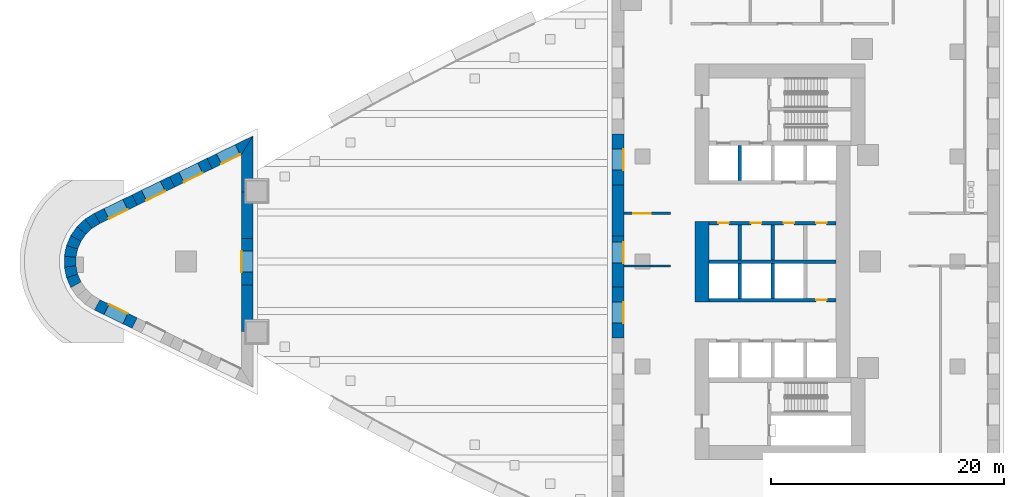
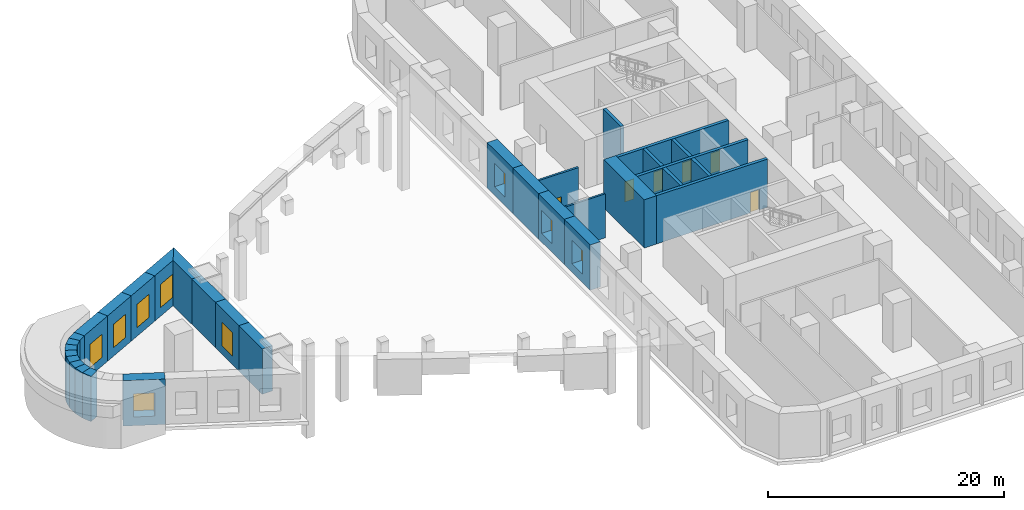
# One storey, part 3 of 11: 32 walls, 9 windows, 6 doors, 15 openings.
"""IFC4 building model written with IfcOpenShell, lengths in metres."""

from ifc_helpers import new_model, si_unit, direction, frame, frame_2d, origin, place, context, subcontext, project, spatial, polyline, rectangle, outline, extrude, material, layer, layer_set, type_object, element, fill, save


model = new_model("IFC4")

# Units and contexts
model_context = context("Model", 3, precision=1e-05, world=origin(), true_north=direction((0.0, 1.0)))
body_context = subcontext(model_context, "Body", "Model", "MODEL_VIEW")
ifc_project = project(units=[si_unit("LENGTHUNIT", "METRE"), si_unit("AREAUNIT", "SQUARE_METRE"), si_unit("VOLUMEUNIT", "CUBIC_METRE"), si_unit("PLANEANGLEUNIT", "RADIAN"), si_unit("MASSUNIT", "GRAM", prefix="KILO")], contexts=[model_context])

# Site, building, storey
site_placement = place(None, origin())
site = spatial("IfcSite", under=ifc_project, at=site_placement, CompositionType="ELEMENT")
building_placement = place(site_placement, origin())
building = spatial("IfcBuilding", under=site, at=building_placement, Name="Ostrand Prow Hotel Tower", CompositionType="ELEMENT")
storey_placement = place(building_placement, frame((0.0, 0.0, 24.0)))
storey = spatial("IfcBuildingStorey", under=building, at=storey_placement, Name="L04", CompositionType="ELEMENT", Elevation=24.0)

# Walls
ifc_material_1 = material(Name="Concrete C80/95", Category="concrete")
ifc_layer_1 = layer(ifc_material_1, 1.199951171875)
ifc_layer_set_1 = layer_set([ifc_layer_1], Name="Concrete C80/95")
wall_type_1 = type_object("IfcWallType", Name="Core wall 1200 C80/95", PredefinedType="SHEAR", material=ifc_layer_set_1)
wall_1_placement = place(storey_placement, frame((50.10009765625, -3.449951171875, 0.0), z_axis=(0.0, 0.0, 1.0), x_axis=(0.0, 1.0, 0.0)))
element("IfcWall", 1, at=wall_1_placement, inside=storey, type_object=wall_type_1, Name="Core wall CW-W-C", PredefinedType="SHEAR", context=body_context, shape_type="SweptSolid", body=[
    extrude(rectangle(XDim=6.89990234375, YDim=1.199951171875, at=frame_2d((3.449951171875, 0.0))), origin(), (0.0, 0.0, 1.0), 5.0),
])
ifc_material_2 = material(Name="Concrete C80/95", Category="concrete")
ifc_layer_2 = layer(ifc_material_2, 0.300048828125)
ifc_layer_set_2 = layer_set([ifc_layer_2], Name="Concrete C80/95")
wall_type_2 = type_object("IfcWallType", Name="Core wall 300 C80/95", PredefinedType="SHEAR", material=ifc_layer_set_2)
wall_2_placement = place(storey_placement, frame((50.699951171875, 0.0, 0.0), z_axis=(0.0, 0.0, 1.0), x_axis=(1.0, 0.0, 0.0)))
element("IfcWall", 2, at=wall_2_placement, inside=storey, type_object=wall_type_2, Name="Core wall PW-C", PredefinedType="SHEAR", context=body_context, shape_type="SweptSolid", body=[
    extrude(rectangle(XDim=10.900146484375, YDim=0.300048828125, at=frame_2d((5.4501953125, 0.0))), origin(), (0.0, 0.0, 1.0), 5.0),
])

# Wall, openings, doors
wall_3_placement = place(storey_placement, frame((50.699951171875, 3.300048828125, 0.0), z_axis=(0.0, 0.0, 1.0), x_axis=(1.0, 0.0, 0.0)))
wall_3 = element("IfcWall", 3, at=wall_3_placement, inside=storey, type_object=wall_type_2, Name="Core wall PW-L1-N", PredefinedType="SHEAR", context=body_context, shape_type="SweptSolid", body=[
    extrude(rectangle(XDim=10.900146484375, YDim=0.300048828125, at=frame_2d((5.4501953125, 0.0))), origin(), (0.0, 0.0, 1.0), 5.0),
])
opening_1_placement = place(wall_3_placement, frame((0.800048828125, 0.0, 0.0)))
opening_1 = element("IfcOpeningElement", 4, at=opening_1_placement, cuts=wall_3, Name="Opening FD2", PredefinedType="OPENING", context=body_context, shape_type="SweptSolid", body=[
    extrude(rectangle(XDim=0.89990234375, YDim=2.10009765625, at=frame_2d((0.449951171875, 1.050048828125))), frame((0.0, 0.159912109375, 0.0), z_axis=(0.0, -1.0, 0.0), x_axis=(1.0, 0.0, 0.0)), (0.0, 0.0, 1.0), 0.320068359375),
])
opening_2_placement = place(wall_3_placement, frame((3.60009765625, 0.0, 0.0)))
opening_2 = element("IfcOpeningElement", 5, at=opening_2_placement, cuts=wall_3, Name="Opening FD2", PredefinedType="OPENING", context=body_context, shape_type="SweptSolid", body=[
    extrude(rectangle(XDim=0.89990234375, YDim=2.10009765625, at=frame_2d((0.449951171875, 1.050048828125))), frame((0.0, 0.159912109375, 0.0), z_axis=(0.0, -1.0, 0.0), x_axis=(1.0, 0.0, 0.0)), (0.0, 0.0, 1.0), 0.320068359375),
])
opening_3_placement = place(wall_3_placement, frame((6.39990234375, 0.0, 0.0)))
opening_3 = element("IfcOpeningElement", 6, at=opening_3_placement, cuts=wall_3, Name="Opening FD2", PredefinedType="OPENING", context=body_context, shape_type="SweptSolid", body=[
    extrude(rectangle(XDim=0.89990234375, YDim=2.10009765625, at=frame_2d((0.449951171875, 1.050048828125))), frame((0.0, 0.159912109375, 0.0), z_axis=(0.0, -1.0, 0.0), x_axis=(1.0, 0.0, 0.0)), (0.0, 0.0, 1.0), 0.320068359375),
])
opening_4_placement = place(wall_3_placement, frame((9.199951171875, 0.0, 0.0)))
opening_4 = element("IfcOpeningElement", 7, at=opening_4_placement, cuts=wall_3, Name="Opening FD2", PredefinedType="OPENING", context=body_context, shape_type="SweptSolid", body=[
    extrude(rectangle(XDim=0.89990234375, YDim=2.10009765625, at=frame_2d((0.449951171875, 1.050048828125))), frame((0.0, 0.159912109375, 0.0), z_axis=(0.0, -1.0, 0.0), x_axis=(1.0, 0.0, 0.0)), (0.0, 0.0, 1.0), 0.320068359375),
])
ifc_material_3 = material(Name="Steel fire door", Category="steel")
door_type_1 = type_object("IfcDoorType", Name="Fire door 900 EI120", OperationType="SINGLE_SWING_LEFT", PredefinedType="DOOR", material=ifc_material_3)
door_1_placement = place(opening_1_placement, origin())
door_1 = element("IfcDoor", 8, at=door_1_placement, inside=storey, type_object=door_type_1, Name="DOOR", OperationType="SINGLE_SWING_LEFT", OverallHeight=2.10009765625, OverallWidth=0.89990234375, PredefinedType="DOOR", context=body_context, shape_type="SweptSolid", body=[
    extrude(rectangle(XDim=0.89990234375, YDim=2.10009765625, at=frame_2d((0.449951171875, 1.050048828125))), frame((0.0, 0.02490234375, 0.0), z_axis=(0.0, -1.0, 0.0), x_axis=(1.0, 0.0, 0.0)), (0.0, 0.0, 1.0), 0.050048828125),
])
fill(opening_1, door_1)
door_2_placement = place(opening_2_placement, origin())
door_2 = element("IfcDoor", 9, at=door_2_placement, inside=storey, type_object=door_type_1, Name="DOOR", OperationType="SINGLE_SWING_LEFT", OverallHeight=2.10009765625, OverallWidth=0.89990234375, PredefinedType="DOOR", context=body_context, shape_type="SweptSolid", body=[
    extrude(rectangle(XDim=0.89990234375, YDim=2.10009765625, at=frame_2d((0.449951171875, 1.050048828125))), frame((0.0, 0.02490234375, 0.0), z_axis=(0.0, -1.0, 0.0), x_axis=(1.0, 0.0, 0.0)), (0.0, 0.0, 1.0), 0.050048828125),
])
fill(opening_2, door_2)
door_3_placement = place(opening_3_placement, origin())
door_3 = element("IfcDoor", 10, at=door_3_placement, inside=storey, type_object=door_type_1, Name="DOOR", OperationType="SINGLE_SWING_LEFT", OverallHeight=2.10009765625, OverallWidth=0.89990234375, PredefinedType="DOOR", context=body_context, shape_type="SweptSolid", body=[
    extrude(rectangle(XDim=0.89990234375, YDim=2.10009765625, at=frame_2d((0.449951171875, 1.050048828125))), frame((0.0, 0.02490234375, 0.0), z_axis=(0.0, -1.0, 0.0), x_axis=(1.0, 0.0, 0.0)), (0.0, 0.0, 1.0), 0.050048828125),
])
fill(opening_3, door_3)
door_4_placement = place(opening_4_placement, origin())
door_4 = element("IfcDoor", 11, at=door_4_placement, inside=storey, type_object=door_type_1, Name="DOOR", OperationType="SINGLE_SWING_LEFT", OverallHeight=2.10009765625, OverallWidth=0.89990234375, PredefinedType="DOOR", context=body_context, shape_type="SweptSolid", body=[
    extrude(rectangle(XDim=0.89990234375, YDim=2.10009765625, at=frame_2d((0.449951171875, 1.050048828125))), frame((0.0, 0.02490234375, 0.0), z_axis=(0.0, -1.0, 0.0), x_axis=(1.0, 0.0, 0.0)), (0.0, 0.0, 1.0), 0.050048828125),
])
fill(opening_4, door_4)

# Walls
for number, where, z_axis, x_axis, name in (
    (12, (53.35009765625, 0.14990234375, 0.0), (0.0, 0.0, 1.0), (0.0, 1.0, 0.0), "Core wall PW-R1-NB"),
    (13, (53.35009765625, 6.949951171875, 0.0), (0.0, 0.0, 1.0), (0.0, 1.0, 0.0), "Core wall PW-R1-NA"),
    (14, (56.14990234375, 0.14990234375, 0.0), (0.0, 0.0, 1.0), (0.0, 1.0, 0.0), "Core wall PW-R2-NB"),
):
    element("IfcWall", number, at=place(storey_placement, frame(where, z_axis=z_axis, x_axis=x_axis)), inside=storey, type_object=wall_type_2, Name=name, PredefinedType="SHEAR", context=body_context, shape_type="SweptSolid", body=[
        extrude(rectangle(XDim=3.0, YDim=0.300048828125, at=frame_2d((1.5, 0.0))), origin(), (0.0, 0.0, 1.0), 5.0),
    ])

# Wall, opening, door
wall_4_placement = place(storey_placement, frame((50.699951171875, -3.300048828125, 0.0), z_axis=(0.0, 0.0, 1.0), x_axis=(1.0, 0.0, 0.0)))
wall_4 = element("IfcWall", 15, at=wall_4_placement, inside=storey, type_object=wall_type_2, Name="Core wall PW-L1-S", PredefinedType="SHEAR", context=body_context, shape_type="SweptSolid", body=[
    extrude(rectangle(XDim=10.900146484375, YDim=0.300048828125, at=frame_2d((5.4501953125, 0.0))), origin(), (0.0, 0.0, 1.0), 5.0),
])
opening_5_placement = place(wall_4_placement, frame((9.199951171875, 0.0, 0.0)))
opening_5 = element("IfcOpeningElement", 16, at=opening_5_placement, cuts=wall_4, Name="Opening FD2", PredefinedType="OPENING", context=body_context, shape_type="SweptSolid", body=[
    extrude(rectangle(XDim=0.89990234375, YDim=2.10009765625, at=frame_2d((0.449951171875, 1.050048828125))), frame((0.0, 0.159912109375, 0.0), z_axis=(0.0, -1.0, 0.0), x_axis=(1.0, 0.0, 0.0)), (0.0, 0.0, 1.0), 0.320068359375),
])
door_5_placement = place(opening_5_placement, origin())
door_5 = element("IfcDoor", 17, at=door_5_placement, inside=storey, type_object=door_type_1, Name="DOOR", OperationType="SINGLE_SWING_LEFT", OverallHeight=2.10009765625, OverallWidth=0.89990234375, PredefinedType="DOOR", context=body_context, shape_type="SweptSolid", body=[
    extrude(rectangle(XDim=0.89990234375, YDim=2.10009765625, at=frame_2d((0.449951171875, 1.050048828125))), frame((0.0, 0.02490234375, 0.0), z_axis=(0.0, -1.0, 0.0), x_axis=(1.0, 0.0, 0.0)), (0.0, 0.0, 1.0), 0.050048828125),
])
fill(opening_5, door_5)

# Walls
for number, where, z_axis, x_axis, name in (
    (18, (53.35009765625, -3.14990234375, 0.0), (0.0, 0.0, 1.0), (0.0, 1.0, 0.0), "Core wall PW-R1-SB"),
    (19, (56.14990234375, -3.14990234375, 0.0), (0.0, 0.0, 1.0), (0.0, 1.0, 0.0), "Core wall PW-R2-SB"),
):
    element("IfcWall", number, at=place(storey_placement, frame(where, z_axis=z_axis, x_axis=x_axis)), inside=storey, type_object=wall_type_2, Name=name, PredefinedType="SHEAR", context=body_context, shape_type="SweptSolid", body=[
        extrude(rectangle(XDim=3.0, YDim=0.300048828125, at=frame_2d((1.5, 0.0))), origin(), (0.0, 0.0, 1.0), 5.0),
    ])
ifc_material_4 = material(Name="Plasterboard partition")
ifc_layer_3 = layer(ifc_material_4, 0.199951171875)
ifc_layer_set_3 = layer_set([ifc_layer_3], Name="Plasterboard partition")
wall_type_3 = type_object("IfcWallType", Name="Partition 200 corridor wall", PredefinedType="PARTITIONING", material=ifc_layer_set_3)
wall_5_placement = place(storey_placement, frame((43.429931640625, -0.376220703125, 0.0), z_axis=(0.0, 0.0, 1.0), x_axis=(1.0, 0.0, 0.0)))
element("IfcWall", 20, at=wall_5_placement, inside=storey, type_object=wall_type_3, Name="CORRIDOR WALL", PredefinedType="PARTITIONING", context=body_context, shape_type="SweptSolid", body=[
    extrude(rectangle(XDim=3.970947265625, YDim=0.199951171875, at=frame_2d((1.9853515625, 0.0))), origin(), (0.0, 0.0, 1.0), 4.550048828125),
])

# Wall, opening, door
wall_6_placement = place(storey_placement, frame((43.429931640625, 4.138671875, 0.0), z_axis=(0.0, 0.0, 1.0), x_axis=(1.0, 0.0, 0.0)))
wall_6 = element("IfcWall", 21, at=wall_6_placement, inside=storey, type_object=wall_type_3, Name="CORRIDOR WALL", PredefinedType="PARTITIONING", context=body_context, shape_type="SweptSolid", body=[
    extrude(rectangle(XDim=3.970947265625, YDim=0.199951171875, at=frame_2d((1.9853515625, 0.0))), origin(), (0.0, 0.0, 1.0), 4.550048828125),
])
opening_6_placement = place(wall_6_placement, frame((0.7705078125, 0.0, 0.0)))
opening_6 = element("IfcOpeningElement", 22, at=opening_6_placement, cuts=wall_6, Name="Opening D15", PredefinedType="OPENING", context=body_context, shape_type="SweptSolid", body=[
    extrude(rectangle(XDim=1.5, YDim=2.10009765625, at=frame_2d((0.75, 1.050048828125))), frame((0.0, 0.10986328125, 0.0), z_axis=(0.0, -1.0, 0.0), x_axis=(1.0, 0.0, 0.0)), (0.0, 0.0, 1.0), 0.219970703125),
])
ifc_material_5 = material(Name="Timber door leaf", Category="wood")
door_type_2 = type_object("IfcDoorType", Name="Double door 1500", OperationType="DOUBLE_DOOR_SINGLE_SWING", PredefinedType="DOOR", material=ifc_material_5)
door_6_placement = place(opening_6_placement, origin())
door_6 = element("IfcDoor", 23, at=door_6_placement, inside=storey, type_object=door_type_2, Name="DOOR", OperationType="DOUBLE_DOOR_SINGLE_SWING", OverallHeight=2.10009765625, OverallWidth=1.5, PredefinedType="DOOR", context=body_context, shape_type="SweptSolid", body=[
    extrude(rectangle(XDim=1.5, YDim=2.10009765625, at=frame_2d((0.75, 1.050048828125))), frame((0.0, 0.02490234375, 0.0), z_axis=(0.0, -1.0, 0.0), x_axis=(1.0, 0.0, 0.0)), (0.0, 0.0, 1.0), 0.050048828125),
])
fill(opening_6, door_6)

# Wall
ifc_material_6 = material(Name="Precast concrete C40/50", Category="concrete")
ifc_layer_4 = layer(ifc_material_6, 1.0)
ifc_layer_set_4 = layer_set([ifc_layer_4], Name="Precast concrete C40/50")
wall_type_4 = type_object("IfcWallType", Name="Portal pier wall 1000 mm", PredefinedType="NOTDEFINED", material=ifc_layer_set_4)
wall_7_placement = place(storey_placement, frame((11.10009765625, -5.9833984375, 0.0), z_axis=(0.0, 0.0, 1.0), x_axis=(0.0, 1.0, 0.0)))
element("IfcWall", 24, at=wall_7_placement, inside=storey, type_object=wall_type_4, Name="Portal pier wall L04-PP001", PredefinedType="NOTDEFINED", context=body_context, shape_type="SweptSolid", body=[
    extrude(outline(polyline([(0.0, -0.5), (3.989013671875, -0.5), (3.989013671875, 0.5), (0.0, 0.5), (0.0, -0.5)])), origin(), (0.0, 0.0, 1.0), 4.699951171875),
])

# Wall, opening, window
wall_8_placement = place(storey_placement, frame((11.10009765625, -1.994384765625, 0.0), z_axis=(0.0, 0.0, 1.0), x_axis=(0.0, 1.0, 0.0)))
wall_8 = element("IfcWall", 25, at=wall_8_placement, inside=storey, type_object=wall_type_4, Name="Portal pier wall L04-PP002", PredefinedType="NOTDEFINED", context=body_context, shape_type="SweptSolid", body=[
    extrude(outline(polyline([(0.0, -0.5), (3.98876953125, -0.5), (3.98876953125, 0.5), (0.0, 0.5), (0.0, -0.5)])), origin(), (0.0, 0.0, 1.0), 4.699951171875),
])
opening_7_placement = place(wall_8_placement, frame((1.094482421875, 0.0, 0.89990234375)))
opening_7 = element("IfcOpeningElement", 26, at=opening_7_placement, cuts=wall_8, Name="Opening WP2", PredefinedType="OPENING", context=body_context, shape_type="SweptSolid", body=[
    extrude(rectangle(XDim=1.800048828125, YDim=2.39990234375, at=frame_2d((0.89990234375, 1.199951171875))), frame((0.0, 0.510009765625, 0.0), z_axis=(0.0, -1.0, 0.0), x_axis=(1.0, 0.0, 0.0)), (0.0, 0.0, 1.0), 1.02001953125),
])
ifc_material_7 = material(Name="Insulated glass in bronze anodised frame", Category="glass")
window_type = type_object("IfcWindowType", Name="Portal window 1800x2400", PartitioningType="SINGLE_PANEL", PredefinedType="WINDOW", material=ifc_material_7)
window_1_placement = place(opening_7_placement, origin())
window_1 = element("IfcWindow", 27, at=window_1_placement, inside=storey, type_object=window_type, Name="Portal window L04-PP002", OverallHeight=2.39990234375, OverallWidth=1.800048828125, PartitioningType="SINGLE_PANEL", PredefinedType="WINDOW", context=body_context, shape_type="SweptSolid", body=[
    extrude(rectangle(XDim=1.800048828125, YDim=2.39990234375, at=frame_2d((0.89990234375, 1.199951171875))), frame((0.0, 0.5, 0.0), z_axis=(0.0, -1.0, 0.0), x_axis=(1.0, 0.0, 0.0)), (0.0, 0.0, 1.0), 0.06005859375),
])
fill(opening_7, window_1)

# Walls
wall_9_placement = place(storey_placement, frame((11.10009765625, 1.994384765625, 0.0), z_axis=(0.0, 0.0, 1.0), x_axis=(0.0, 1.0, 0.0)))
element("IfcWall", 28, at=wall_9_placement, inside=storey, type_object=wall_type_4, Name="Portal pier wall L04-PP003", PredefinedType="NOTDEFINED", context=body_context, shape_type="SweptSolid", body=[
    extrude(outline(polyline([(0.0, -0.5), (3.989013671875, -0.5), (3.989013671875, 0.5), (0.0, 0.5), (0.0, -0.5)])), origin(), (0.0, 0.0, 1.0), 4.699951171875),
])
wall_10_placement = place(storey_placement, frame((11.10009765625, 5.9833984375, 0.0), z_axis=(0.0, 0.0, 1.0), x_axis=(0.0, 1.0, 0.0)))
element("IfcWall", 29, at=wall_10_placement, inside=storey, type_object=wall_type_4, Name="Portal pier wall L04-PP004", PredefinedType="NOTDEFINED", context=body_context, shape_type="SweptSolid", body=[
    extrude(outline(polyline([(0.0, -0.5), (4.7890625, -0.5), (3.18896484375, 0.5), (0.0, 0.5), (0.0, -0.5)])), origin(), (0.0, 0.0, 1.0), 4.699951171875),
])

# Wall, opening, window
wall_11_placement = place(storey_placement, frame((11.10009765625, 9.972412109375, 0.0), z_axis=(0.0, 0.0, 1.0), x_axis=(-0.89890161674, -0.438150525987, 0.0)))
wall_11 = element("IfcWall", 30, at=wall_11_placement, inside=storey, type_object=wall_type_4, Name="Portal pier wall L04-PP005", PredefinedType="NOTDEFINED", context=body_context, shape_type="SweptSolid", body=[
    extrude(outline(polyline([(-0.800048828125, -0.5), (3.57568359375, -0.5), (3.57568359375, 0.5), (0.800048828125, 0.5), (-0.800048828125, -0.5)])), origin(), (0.0, 0.0, 1.0), 4.699951171875),
])
opening_8_placement = place(wall_11_placement, frame((0.8876953125, 0.0, 0.89990234375)))
opening_8 = element("IfcOpeningElement", 31, at=opening_8_placement, cuts=wall_11, Name="Opening WP2", PredefinedType="OPENING", context=body_context, shape_type="SweptSolid", body=[
    extrude(rectangle(XDim=1.800048828125, YDim=2.39990234375, at=frame_2d((0.89990234375, 1.199951171875))), frame((0.0, 0.510009765625, 0.0), z_axis=(0.0, -1.0, 0.0), x_axis=(1.0, 0.0, 0.0)), (0.0, 0.0, 1.0), 1.02001953125),
])
window_2_placement = place(opening_8_placement, origin())
window_2 = element("IfcWindow", 32, at=window_2_placement, inside=storey, type_object=window_type, Name="Portal window L04-PP005", OverallHeight=2.39990234375, OverallWidth=1.800048828125, PartitioningType="SINGLE_PANEL", PredefinedType="WINDOW", context=body_context, shape_type="SweptSolid", body=[
    extrude(rectangle(XDim=1.800048828125, YDim=2.39990234375, at=frame_2d((0.89990234375, 1.199951171875))), frame((0.0, 0.5, 0.0), z_axis=(0.0, -1.0, 0.0), x_axis=(1.0, 0.0, 0.0)), (0.0, 0.0, 1.0), 0.06005859375),
])
fill(opening_8, window_2)

wall_12_placement = place(storey_placement, frame((7.885986328125, 8.40576171875, 0.0), z_axis=(0.0, 0.0, 1.0), x_axis=(-0.898888507486, -0.43817741967, 0.0)))
wall_12 = element("IfcWall", 33, at=wall_12_placement, inside=storey, type_object=wall_type_4, Name="Portal pier wall L04-PP006", PredefinedType="NOTDEFINED", context=body_context, shape_type="SweptSolid", body=[
    extrude(outline(polyline([(0.0, -0.5), (3.575439453125, -0.5), (3.575439453125, 0.5), (0.0, 0.5), (0.0, -0.5)])), origin(), (0.0, 0.0, 1.0), 4.699951171875),
])
opening_9_placement = place(wall_12_placement, frame((0.8876953125, 0.0, 0.89990234375)))
opening_9 = element("IfcOpeningElement", 34, at=opening_9_placement, cuts=wall_12, Name="Opening WP2", PredefinedType="OPENING", context=body_context, shape_type="SweptSolid", body=[
    extrude(rectangle(XDim=1.800048828125, YDim=2.39990234375, at=frame_2d((0.89990234375, 1.199951171875))), frame((0.0, 0.510009765625, 0.0), z_axis=(0.0, -1.0, 0.0), x_axis=(1.0, 0.0, 0.0)), (0.0, 0.0, 1.0), 1.02001953125),
])
window_3_placement = place(opening_9_placement, origin())
window_3 = element("IfcWindow", 35, at=window_3_placement, inside=storey, type_object=window_type, Name="Portal window L04-PP006", OverallHeight=2.39990234375, OverallWidth=1.800048828125, PartitioningType="SINGLE_PANEL", PredefinedType="WINDOW", context=body_context, shape_type="SweptSolid", body=[
    extrude(rectangle(XDim=1.800048828125, YDim=2.39990234375, at=frame_2d((0.89990234375, 1.199951171875))), frame((0.0, 0.5, 0.0), z_axis=(0.0, -1.0, 0.0), x_axis=(1.0, 0.0, 0.0)), (0.0, 0.0, 1.0), 0.06005859375),
])
fill(opening_9, window_3)

wall_13_placement = place(storey_placement, frame((4.672119140625, 6.839111328125, 0.0), z_axis=(0.0, 0.0, 1.0), x_axis=(-0.898848496883, -0.438259488946, 0.0)))
wall_13 = element("IfcWall", 36, at=wall_13_placement, inside=storey, type_object=wall_type_4, Name="Portal pier wall L04-PP007", PredefinedType="NOTDEFINED", context=body_context, shape_type="SweptSolid", body=[
    extrude(outline(polyline([(0.0, -0.5), (3.5751953125, -0.5), (3.5751953125, 0.5), (0.0, 0.5), (0.0, -0.5)])), origin(), (0.0, 0.0, 1.0), 4.699951171875),
])
opening_10_placement = place(wall_13_placement, frame((0.8876953125, 0.0, 0.89990234375)))
opening_10 = element("IfcOpeningElement", 37, at=opening_10_placement, cuts=wall_13, Name="Opening WP2", PredefinedType="OPENING", context=body_context, shape_type="SweptSolid", body=[
    extrude(rectangle(XDim=1.800048828125, YDim=2.39990234375, at=frame_2d((0.89990234375, 1.199951171875))), frame((0.0, 0.510009765625, 0.0), z_axis=(0.0, -1.0, 0.0), x_axis=(1.0, 0.0, 0.0)), (0.0, 0.0, 1.0), 1.02001953125),
])
window_4_placement = place(opening_10_placement, origin())
window_4 = element("IfcWindow", 38, at=window_4_placement, inside=storey, type_object=window_type, Name="Portal window L04-PP007", OverallHeight=2.39990234375, OverallWidth=1.800048828125, PartitioningType="SINGLE_PANEL", PredefinedType="WINDOW", context=body_context, shape_type="SweptSolid", body=[
    extrude(rectangle(XDim=1.800048828125, YDim=2.39990234375, at=frame_2d((0.89990234375, 1.199951171875))), frame((0.0, 0.5, 0.0), z_axis=(0.0, -1.0, 0.0), x_axis=(1.0, 0.0, 0.0)), (0.0, 0.0, 1.0), 0.06005859375),
])
fill(opening_10, window_4)

wall_14_placement = place(storey_placement, frame((1.45849609375, 5.272216796875, 0.0), z_axis=(0.0, 0.0, 1.0), x_axis=(-0.898874723623, -0.438205695117, 0.0)))
wall_14 = element("IfcWall", 39, at=wall_14_placement, inside=storey, type_object=wall_type_4, Name="Portal pier wall L04-PP008", PredefinedType="NOTDEFINED", context=body_context, shape_type="SweptSolid", body=[
    extrude(outline(polyline([(0.0, -0.5), (3.60107421875, -0.5), (3.55029296875, 0.5), (0.0, 0.5), (0.0, -0.5)])), origin(), (0.0, 0.0, 1.0), 4.699951171875),
])
opening_11_placement = place(wall_14_placement, frame((0.8876953125, 0.0, 0.89990234375)))
opening_11 = element("IfcOpeningElement", 40, at=opening_11_placement, cuts=wall_14, Name="Opening WP2", PredefinedType="OPENING", context=body_context, shape_type="SweptSolid", body=[
    extrude(rectangle(XDim=1.800048828125, YDim=2.39990234375, at=frame_2d((0.89990234375, 1.199951171875))), frame((0.0, 0.510009765625, 0.0), z_axis=(0.0, -1.0, 0.0), x_axis=(1.0, 0.0, 0.0)), (0.0, 0.0, 1.0), 1.02001953125),
])
window_5_placement = place(opening_11_placement, origin())
window_5 = element("IfcWindow", 41, at=window_5_placement, inside=storey, type_object=window_type, Name="Portal window L04-PP008", OverallHeight=2.39990234375, OverallWidth=1.800048828125, PartitioningType="SINGLE_PANEL", PredefinedType="WINDOW", context=body_context, shape_type="SweptSolid", body=[
    extrude(rectangle(XDim=1.800048828125, YDim=2.39990234375, at=frame_2d((0.89990234375, 1.199951171875))), frame((0.0, 0.5, 0.0), z_axis=(0.0, -1.0, 0.0), x_axis=(1.0, 0.0, 0.0)), (0.0, 0.0, 1.0), 0.06005859375),
])
fill(opening_11, window_5)

# Walls
wall_15_placement = place(storey_placement, frame((-1.755615234375, 3.705322265625, 0.0), z_axis=(0.0, 0.0, 1.0), x_axis=(-0.849777890555, -0.527140907846, 0.0)))
element("IfcWall", 42, at=wall_15_placement, inside=storey, type_object=wall_type_4, Name="Portal pier wall L04-PP009", PredefinedType="NOTDEFINED", context=body_context, shape_type="SweptSolid", body=[
    extrude(outline(polyline([(-0.025390625, -0.5), (0.92724609375, -0.5), (0.8251953125, 0.5), (0.025390625, 0.5), (-0.025390625, -0.5)])), origin(), (0.0, 0.0, 1.0), 4.699951171875),
])
wall_16_placement = place(storey_placement, frame((-2.500244140625, 3.243408203125, 0.0), z_axis=(0.0, 0.0, 1.0), x_axis=(-0.726099436492, -0.687589709293, 0.0)))
element("IfcWall", 43, at=wall_16_placement, inside=storey, type_object=wall_type_4, Name="Portal pier wall L04-PP010", PredefinedType="NOTDEFINED", context=body_context, shape_type="SweptSolid", body=[
    extrude(outline(polyline([(-0.051025390625, -0.5), (0.881591796875, -0.5), (0.779541015625, 0.5), (0.051025390625, 0.5), (-0.051025390625, -0.5)])), origin(), (0.0, 0.0, 1.0), 4.699951171875),
])
wall_17_placement = place(storey_placement, frame((-3.103271484375, 2.67236328125, 0.0), z_axis=(0.0, 0.0, 1.0), x_axis=(-0.572416108775, -0.819963290895, 0.0)))
element("IfcWall", 44, at=wall_17_placement, inside=storey, type_object=wall_type_4, Name="Portal pier wall L04-PP011", PredefinedType="NOTDEFINED", context=body_context, shape_type="SweptSolid", body=[
    extrude(outline(polyline([(-0.051025390625, -0.5), (0.88134765625, -0.5), (0.779296875, 0.5), (0.051025390625, 0.5), (-0.051025390625, -0.5)])), origin(), (0.0, 0.0, 1.0), 4.699951171875),
])
wall_18_placement = place(storey_placement, frame((-3.57861328125, 1.991455078125, 0.0), z_axis=(0.0, 0.0, 1.0), x_axis=(-0.395089773053, -0.91864251547, 0.0)))
element("IfcWall", 45, at=wall_18_placement, inside=storey, type_object=wall_type_4, Name="Portal pier wall L04-PP012", PredefinedType="NOTDEFINED", context=body_context, shape_type="SweptSolid", body=[
    extrude(outline(polyline([(-0.051025390625, -0.5), (0.881591796875, -0.5), (0.779541015625, 0.5), (0.051025390625, 0.5), (-0.051025390625, -0.5)])), origin(), (0.0, 0.0, 1.0), 4.699951171875),
])
wall_19_placement = place(storey_placement, frame((-3.90673828125, 1.228515625, 0.0), z_axis=(0.0, 0.0, 1.0), x_axis=(-0.201710996138, -0.979445084748, 0.0)))
element("IfcWall", 46, at=wall_19_placement, inside=storey, type_object=wall_type_4, Name="Portal pier wall L04-PP013", PredefinedType="NOTDEFINED", context=body_context, shape_type="SweptSolid", body=[
    extrude(outline(polyline([(-0.051025390625, -0.5), (0.88134765625, -0.5), (0.779296875, 0.5), (0.051025390625, 0.5), (-0.051025390625, -0.5)])), origin(), (0.0, 0.0, 1.0), 4.699951171875),
])
wall_20_placement = place(storey_placement, frame((-4.07421875, 0.415283203125, 0.0), z_axis=(0.0, 0.0, 1.0), x_axis=(0.0, -1.0, 0.0)))
element("IfcWall", 47, at=wall_20_placement, inside=storey, type_object=wall_type_4, Name="Portal pier wall L04-PP014", PredefinedType="NOTDEFINED", context=body_context, shape_type="SweptSolid", body=[
    extrude(outline(polyline([(-0.051025390625, -0.5), (0.881591796875, -0.5), (0.779541015625, 0.5), (0.051025390625, 0.5), (-0.051025390625, -0.5)])), origin(), (0.0, 0.0, 1.0), 4.699951171875),
])
wall_21_placement = place(storey_placement, frame((-4.07421875, -0.415283203125, 0.0), z_axis=(0.0, 0.0, 1.0), x_axis=(0.201710996138, -0.979445084748, 0.0)))
element("IfcWall", 48, at=wall_21_placement, inside=storey, type_object=wall_type_4, Name="Portal pier wall L04-PP015", PredefinedType="NOTDEFINED", context=body_context, shape_type="SweptSolid", body=[
    extrude(outline(polyline([(-0.051025390625, -0.5), (0.88134765625, -0.5), (0.779296875, 0.5), (0.051025390625, 0.5), (-0.051025390625, -0.5)])), origin(), (0.0, 0.0, 1.0), 4.699951171875),
])
wall_22_placement = place(storey_placement, frame((-3.90673828125, -1.228515625, 0.0), z_axis=(0.0, 0.0, 1.0), x_axis=(0.395089773053, -0.91864251547, 0.0)))
element("IfcWall", 49, at=wall_22_placement, inside=storey, type_object=wall_type_4, Name="Portal pier wall L04-PP016", PredefinedType="NOTDEFINED", context=body_context, shape_type="SweptSolid", body=[
    extrude(outline(polyline([(-0.051025390625, -0.5), (0.881591796875, -0.5), (0.779541015625, 0.5), (0.051025390625, 0.5), (-0.051025390625, -0.5)])), origin(), (0.0, 0.0, 1.0), 4.699951171875),
])

# Wall, opening, window
wall_23_placement = place(storey_placement, frame((-1.755615234375, -3.705322265625, 0.0), z_axis=(0.0, 0.0, 1.0), x_axis=(0.898874723623, -0.438205695117, 0.0)))
wall_23 = element("IfcWall", 50, at=wall_23_placement, inside=storey, type_object=wall_type_4, Name="Portal pier wall L04-PP020", PredefinedType="NOTDEFINED", context=body_context, shape_type="SweptSolid", body=[
    extrude(outline(polyline([(-0.025390625, -0.5), (3.57568359375, -0.5), (3.57568359375, 0.5), (0.025390625, 0.5), (-0.025390625, -0.5)])), origin(), (0.0, 0.0, 1.0), 4.699951171875),
])
opening_12_placement = place(wall_23_placement, frame((0.8876953125, 0.0, 0.89990234375)))
opening_12 = element("IfcOpeningElement", 51, at=opening_12_placement, cuts=wall_23, Name="Opening WP2", PredefinedType="OPENING", context=body_context, shape_type="SweptSolid", body=[
    extrude(rectangle(XDim=1.800048828125, YDim=2.39990234375, at=frame_2d((0.89990234375, 1.199951171875))), frame((0.0, 0.510009765625, 0.0), z_axis=(0.0, -1.0, 0.0), x_axis=(1.0, 0.0, 0.0)), (0.0, 0.0, 1.0), 1.02001953125),
])
window_6_placement = place(opening_12_placement, origin())
window_6 = element("IfcWindow", 52, at=window_6_placement, inside=storey, type_object=window_type, Name="Portal window L04-PP020", OverallHeight=2.39990234375, OverallWidth=1.800048828125, PartitioningType="SINGLE_PANEL", PredefinedType="WINDOW", context=body_context, shape_type="SweptSolid", body=[
    extrude(rectangle(XDim=1.800048828125, YDim=2.39990234375, at=frame_2d((0.89990234375, 1.199951171875))), frame((0.0, 0.5, 0.0), z_axis=(0.0, -1.0, 0.0), x_axis=(1.0, 0.0, 0.0)), (0.0, 0.0, 1.0), 0.06005859375),
])
fill(opening_12, window_6)

wall_24_placement = place(storey_placement, frame((42.89990234375, 10.940185546875, 0.0), z_axis=(0.0, 0.0, 1.0), x_axis=(0.0, -1.0, 0.0)))
wall_24 = element("IfcWall", 53, at=wall_24_placement, inside=storey, type_object=wall_type_4, Name="Portal pier wall L04-PP138", PredefinedType="NOTDEFINED", context=body_context, shape_type="SweptSolid", body=[
    extrude(outline(polyline([(0.0, -0.5), (4.3759765625, -0.5), (4.3759765625, 0.5), (0.0, 0.5), (0.0, -0.5)])), origin(), (0.0, 0.0, 1.0), 4.699951171875),
])
opening_13_placement = place(wall_24_placement, frame((1.2880859375, 0.0, 0.89990234375)))
opening_13 = element("IfcOpeningElement", 54, at=opening_13_placement, cuts=wall_24, Name="Opening WP2", PredefinedType="OPENING", context=body_context, shape_type="SweptSolid", body=[
    extrude(rectangle(XDim=1.800048828125, YDim=2.39990234375, at=frame_2d((0.89990234375, 1.199951171875))), frame((0.0, 0.510009765625, 0.0), z_axis=(0.0, -1.0, 0.0), x_axis=(1.0, 0.0, 0.0)), (0.0, 0.0, 1.0), 1.02001953125),
])
window_7_placement = place(opening_13_placement, origin())
window_7 = element("IfcWindow", 55, at=window_7_placement, inside=storey, type_object=window_type, Name="Portal window L04-PP138", OverallHeight=2.39990234375, OverallWidth=1.800048828125, PartitioningType="SINGLE_PANEL", PredefinedType="WINDOW", context=body_context, shape_type="SweptSolid", body=[
    extrude(rectangle(XDim=1.800048828125, YDim=2.39990234375, at=frame_2d((0.89990234375, 1.199951171875))), frame((0.0, 0.5, 0.0), z_axis=(0.0, -1.0, 0.0), x_axis=(1.0, 0.0, 0.0)), (0.0, 0.0, 1.0), 0.06005859375),
])
fill(opening_13, window_7)

# Wall
wall_25_placement = place(storey_placement, frame((42.89990234375, 6.564208984375, 0.0), z_axis=(0.0, 0.0, 1.0), x_axis=(0.0, -1.0, 0.0)))
element("IfcWall", 56, at=wall_25_placement, inside=storey, type_object=wall_type_4, Name="Portal pier wall L04-PP139", PredefinedType="NOTDEFINED", context=body_context, shape_type="SweptSolid", body=[
    extrude(outline(polyline([(0.0, -0.5), (4.376220703125, -0.5), (4.376220703125, 0.5), (0.0, 0.5), (0.0, -0.5)])), origin(), (0.0, 0.0, 1.0), 4.699951171875),
])

# Wall, opening, window
wall_26_placement = place(storey_placement, frame((42.89990234375, 2.18798828125, 0.0), z_axis=(0.0, 0.0, 1.0), x_axis=(0.0, -1.0, 0.0)))
wall_26 = element("IfcWall", 57, at=wall_26_placement, inside=storey, type_object=wall_type_4, Name="Portal pier wall L04-PP140", PredefinedType="NOTDEFINED", context=body_context, shape_type="SweptSolid", body=[
    extrude(outline(polyline([(0.0, -0.5), (4.3759765625, -0.5), (4.3759765625, 0.5), (0.0, 0.5), (0.0, -0.5)])), origin(), (0.0, 0.0, 1.0), 4.699951171875),
])
opening_14_placement = place(wall_26_placement, frame((0.508056640625, 0.0, 0.89990234375)))
opening_14 = element("IfcOpeningElement", 58, at=opening_14_placement, cuts=wall_26, Name="Opening WP2", PredefinedType="OPENING", context=body_context, shape_type="SweptSolid", body=[
    extrude(rectangle(XDim=1.800048828125, YDim=2.39990234375, at=frame_2d((0.89990234375, 1.199951171875))), frame((0.0, 0.510009765625, 0.0), z_axis=(0.0, -1.0, 0.0), x_axis=(1.0, 0.0, 0.0)), (0.0, 0.0, 1.0), 1.02001953125),
])
window_8_placement = place(opening_14_placement, origin())
window_8 = element("IfcWindow", 59, at=window_8_placement, inside=storey, type_object=window_type, Name="Portal window L04-PP140", OverallHeight=2.39990234375, OverallWidth=1.800048828125, PartitioningType="SINGLE_PANEL", PredefinedType="WINDOW", context=body_context, shape_type="SweptSolid", body=[
    extrude(rectangle(XDim=1.800048828125, YDim=2.39990234375, at=frame_2d((0.89990234375, 1.199951171875))), frame((0.0, 0.5, 0.0), z_axis=(0.0, -1.0, 0.0), x_axis=(1.0, 0.0, 0.0)), (0.0, 0.0, 1.0), 0.06005859375),
])
fill(opening_14, window_8)

wall_27_placement = place(storey_placement, frame((42.89990234375, -2.18798828125, 0.0), z_axis=(0.0, 0.0, 1.0), x_axis=(0.0, -1.0, 0.0)))
wall_27 = element("IfcWall", 60, at=wall_27_placement, inside=storey, type_object=wall_type_4, Name="Portal pier wall L04-PP141", PredefinedType="NOTDEFINED", context=body_context, shape_type="SweptSolid", body=[
    extrude(outline(polyline([(0.0, -0.5), (4.376220703125, -0.5), (4.376220703125, 0.5), (0.0, 0.5), (0.0, -0.5)])), origin(), (0.0, 0.0, 1.0), 4.699951171875),
])
opening_15_placement = place(wall_27_placement, frame((1.2880859375, 0.0, 0.89990234375)))
opening_15 = element("IfcOpeningElement", 61, at=opening_15_placement, cuts=wall_27, Name="Opening WP2", PredefinedType="OPENING", context=body_context, shape_type="SweptSolid", body=[
    extrude(rectangle(XDim=1.800048828125, YDim=2.39990234375, at=frame_2d((0.89990234375, 1.199951171875))), frame((0.0, 0.510009765625, 0.0), z_axis=(0.0, -1.0, 0.0), x_axis=(1.0, 0.0, 0.0)), (0.0, 0.0, 1.0), 1.02001953125),
])
window_9_placement = place(opening_15_placement, origin())
window_9 = element("IfcWindow", 62, at=window_9_placement, inside=storey, type_object=window_type, Name="Portal window L04-PP141", OverallHeight=2.39990234375, OverallWidth=1.800048828125, PartitioningType="SINGLE_PANEL", PredefinedType="WINDOW", context=body_context, shape_type="SweptSolid", body=[
    extrude(rectangle(XDim=1.800048828125, YDim=2.39990234375, at=frame_2d((0.89990234375, 1.199951171875))), frame((0.0, 0.5, 0.0), z_axis=(0.0, -1.0, 0.0), x_axis=(1.0, 0.0, 0.0)), (0.0, 0.0, 1.0), 0.06005859375),
])
fill(opening_15, window_9)

save(model, "model.ifc")
